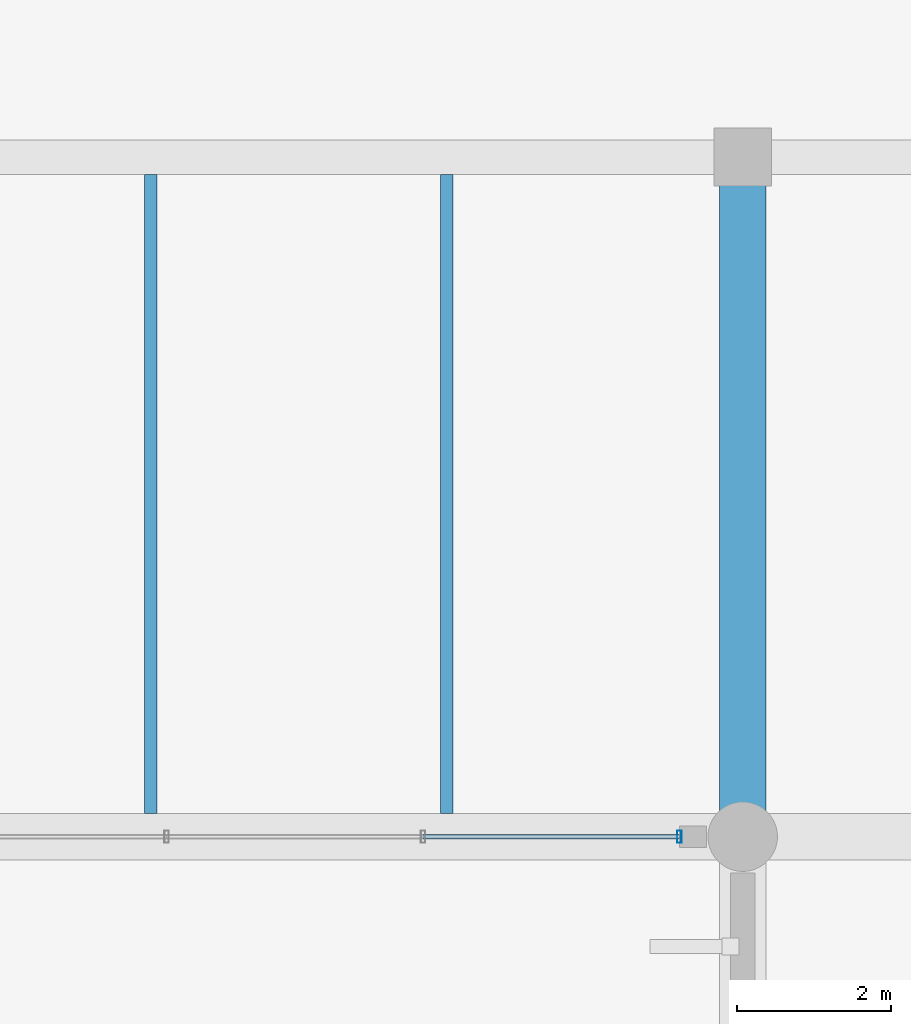
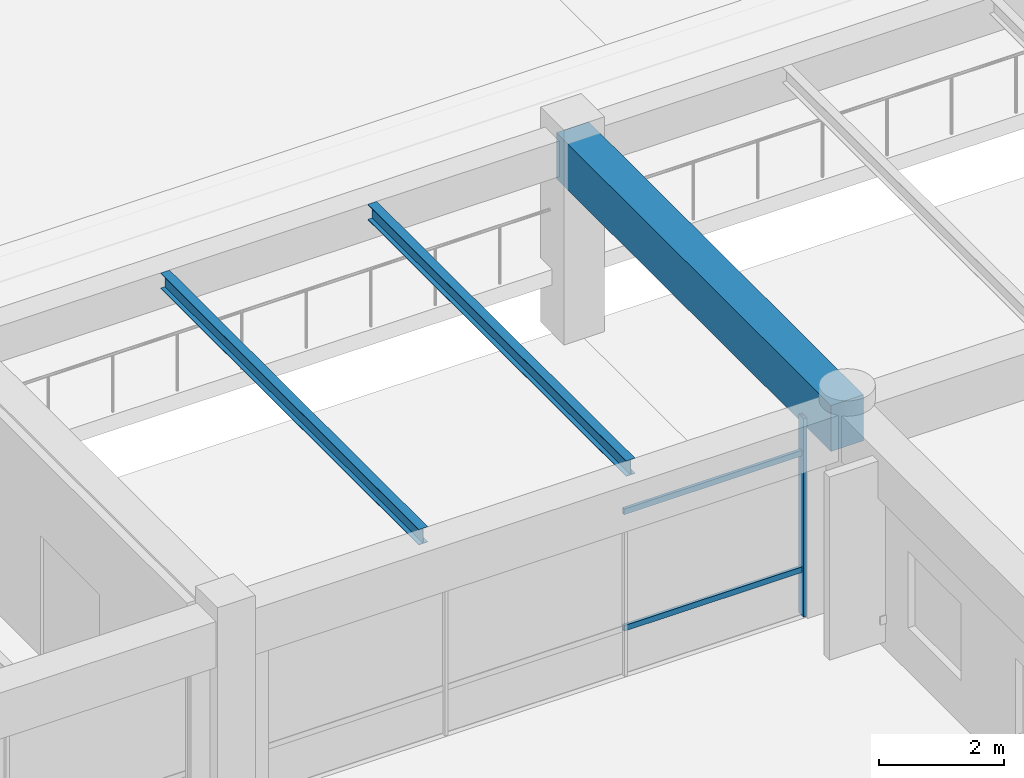
# One storey, part 12 of 109: 3 beams, 3 members, 1 element without a shape of its own.
"""IFC4 building model written with IfcOpenShell, lengths in metres."""

from ifc_helpers import new_model, si_unit, direction, frame, origin, origin_2d, place, context, subcontext, project, spatial, rectangle, hollow_rectangle, i_section, extrude, material, material_profile, profile_set, type_object, element, aggregate, save


model = new_model("IFC4")

# Units and contexts
model_context = context("Model", 3, precision=1e-05, world=origin(), true_north=direction((0.0, 1.0)))
body_context = subcontext(model_context, "Body", "Model", "MODEL_VIEW")
ifc_project = project(units=[si_unit("LENGTHUNIT", "METRE"), si_unit("AREAUNIT", "SQUARE_METRE"), si_unit("VOLUMEUNIT", "CUBIC_METRE"), si_unit("PLANEANGLEUNIT", "RADIAN"), si_unit("MASSUNIT", "GRAM", prefix="KILO")], contexts=[model_context])

# Site, building, storey
site_placement = place(None, origin())
site = spatial("IfcSite", under=ifc_project, at=site_placement, CompositionType="ELEMENT")
building_placement = place(site_placement, origin())
building = spatial("IfcBuilding", under=site, at=building_placement, Name="Ologun Quay Terminus", CompositionType="ELEMENT")
storey_placement = place(building_placement, origin())
storey = spatial("IfcBuildingStorey", under=building, at=storey_placement, Name="L00", CompositionType="ELEMENT", Elevation=0.0)

# Curtain wall, members
ifc_material_1 = material(Name="Aluminium 6063-T6", Category="aluminium")
curtain_wall_type = type_object("IfcCurtainWallType", Name="Forecourt Arcade Curtain Wall 10700x3750", PredefinedType="USERDEFINED", material=ifc_material_1)
curtain_wall_placement = place(storey_placement, origin())
curtain_wall = element("IfcCurtainWall", 1, at=curtain_wall_placement, inside=storey, type_object=curtain_wall_type, Name="CW-03 Curtain Wall CW-L00-003", ObjectType="UNITISED CURTAIN WALL", PredefinedType="USERDEFINED")
ifc_material_2 = material(Name="Aluminium 6063-T6", Category="aluminium")
ifc_material_profile_1 = material_profile(ifc_material_2, hollow_rectangle(XDim=0.06005859375, YDim=0.159912109375, WallThickness=0.00390625, at=origin_2d()), Name="ALU 160x60x4")
ifc_profile_set_1 = profile_set([ifc_material_profile_1], Name="Aluminium 6063-T6")
member_type_1 = type_object("IfcMemberType", Name="Curtain Wall Standard Mullion 160x65", PredefinedType="MULLION", material=ifc_profile_set_1)
member_1_placement = place(storey_placement, frame((56.679931640625, 27.199951171875, 0.0), z_axis=(0.0, 0.0, 1.0), x_axis=(1.0, 0.0, 0.0)))
member_1 = element("IfcMember", 2, at=member_1_placement, type_object=member_type_1, Name="CW-L00-003 Mullion 4", PredefinedType="MULLION", context=body_context, shape_type="SweptSolid", body=[
    extrude(hollow_rectangle(XDim=0.06005859375, YDim=0.159912109375, WallThickness=0.00390625, at=origin_2d()), origin(), (0.0, 0.0, 1.0), 3.8798828125),
])
ifc_material_3 = material(Name="Aluminium 6063-T6", Category="aluminium")
ifc_material_profile_2 = material_profile(ifc_material_3, hollow_rectangle(XDim=0.054931640625, YDim=0.110107421875, WallThickness=0.00390625, at=origin_2d()), Name="ALU 110x55x4")
ifc_profile_set_2 = profile_set([ifc_material_profile_2], Name="Aluminium 6063-T6")
member_type_2 = type_object("IfcMemberType", Name="Curtain Wall Standard Transom 110x55", PredefinedType="USERDEFINED", material=ifc_profile_set_2)
member_2_placement = place(storey_placement, frame((53.360107421875, 27.199951171875, 0.89990234375), z_axis=(1.0, 0.0, 0.0), x_axis=(0.0, 1.0, 0.0)))
member_2 = element("IfcMember", 3, at=member_2_placement, type_object=member_type_2, Name="CW-L00-003 Transom B3-1", ObjectType="TRANSOM", PredefinedType="USERDEFINED", context=body_context, shape_type="SweptSolid", body=[
    extrude(hollow_rectangle(XDim=0.054931640625, YDim=0.110107421875, WallThickness=0.00390625, at=origin_2d()), origin(), (0.0, 0.0, 1.0), 3.31982421875),
])
member_3_placement = place(storey_placement, frame((53.360107421875, 27.199951171875, 3.179931640625), z_axis=(1.0, 0.0, 0.0), x_axis=(0.0, 1.0, 0.0)))
member_3 = element("IfcMember", 4, at=member_3_placement, type_object=member_type_2, Name="CW-L00-003 Transom B3-2", ObjectType="TRANSOM", PredefinedType="USERDEFINED", context=body_context, shape_type="SweptSolid", body=[
    extrude(hollow_rectangle(XDim=0.054931640625, YDim=0.110107421875, WallThickness=0.00390625, at=origin_2d()), origin(), (0.0, 0.0, 1.0), 3.31982421875),
])
aggregate(curtain_wall, [member_1, member_2, member_3])

# Beams
ifc_material_4 = material(Name="Steel S355", Category="steel")
ifc_material_profile_3 = material_profile(ifc_material_4, i_section(OverallWidth=0.1650390625, OverallDepth=0.303466796875, WebThickness=0.006103515625, FlangeThickness=0.01025390625, at=origin_2d()), Name="UKB 305x165x40")
ifc_profile_set_3 = profile_set([ifc_material_profile_3], Name="Steel S355")
beam_type_1 = type_object("IfcBeamType", Name="Mezzanine Steel Joist UKB305", PredefinedType="JOIST", material=ifc_profile_set_3)
for number, where, z_axis, x_axis, name in (
    (5, (49.833251953125, 27.5, 3.748291015625), (0.0, 1.0, 0.0), (-1.0, 0.0, 0.0), "SJ1 Beam 5/D L00"),
    (6, (53.666748046875, 27.5, 3.748291015625), (0.0, 1.0, 0.0), (-1.0, 0.0, 0.0), "SJ1 Beam 5/D L00"),
):
    element("IfcBeam", number, at=place(storey_placement, frame(where, z_axis=z_axis, x_axis=x_axis)), inside=storey, type_object=beam_type_1, Name=name, PredefinedType="JOIST", context=body_context, shape_type="SweptSolid", body=[
        extrude(i_section(OverallWidth=0.1650390625, OverallDepth=0.303466796875, WebThickness=0.006103515625, FlangeThickness=0.01025390625, at=origin_2d()), origin(), (0.0, 0.0, 1.0), 8.27490234375),
    ])
ifc_material_5 = material(Name="Concrete C40/50", Category="concrete")
ifc_material_profile_4 = material_profile(ifc_material_5, rectangle(XDim=0.60009765625, YDim=0.89990234375, at=origin_2d()), Name="RC 600x900")
ifc_profile_set_4 = profile_set([ifc_material_profile_4], Name="Concrete C40/50")
beam_type_2 = type_object("IfcBeamType", Name="Station Frame Girder 600x900", PredefinedType="BEAM", material=ifc_profile_set_4)
beam_placement = place(storey_placement, frame((57.5, 27.199951171875, 3.449951171875), z_axis=(0.0, 1.0, 0.0), x_axis=(-1.0, 0.0, 0.0)))
element("IfcBeam", 7, at=beam_placement, inside=storey, type_object=beam_type_2, Name="B3 Beam 6/D L00", PredefinedType="BEAM", context=body_context, shape_type="SweptSolid", body=[
    extrude(rectangle(XDim=0.60009765625, YDim=0.89990234375, at=origin_2d()), origin(), (0.0, 0.0, 1.0), 8.800048828125),
])

save(model, "model.ifc")
